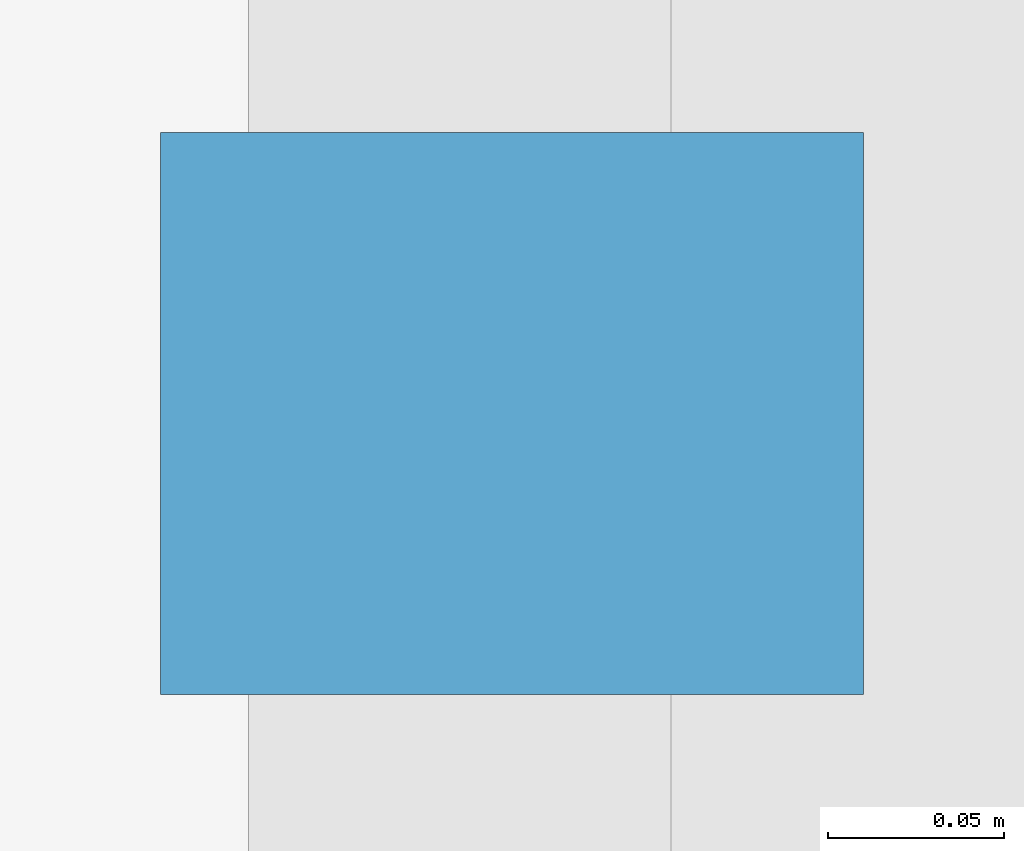
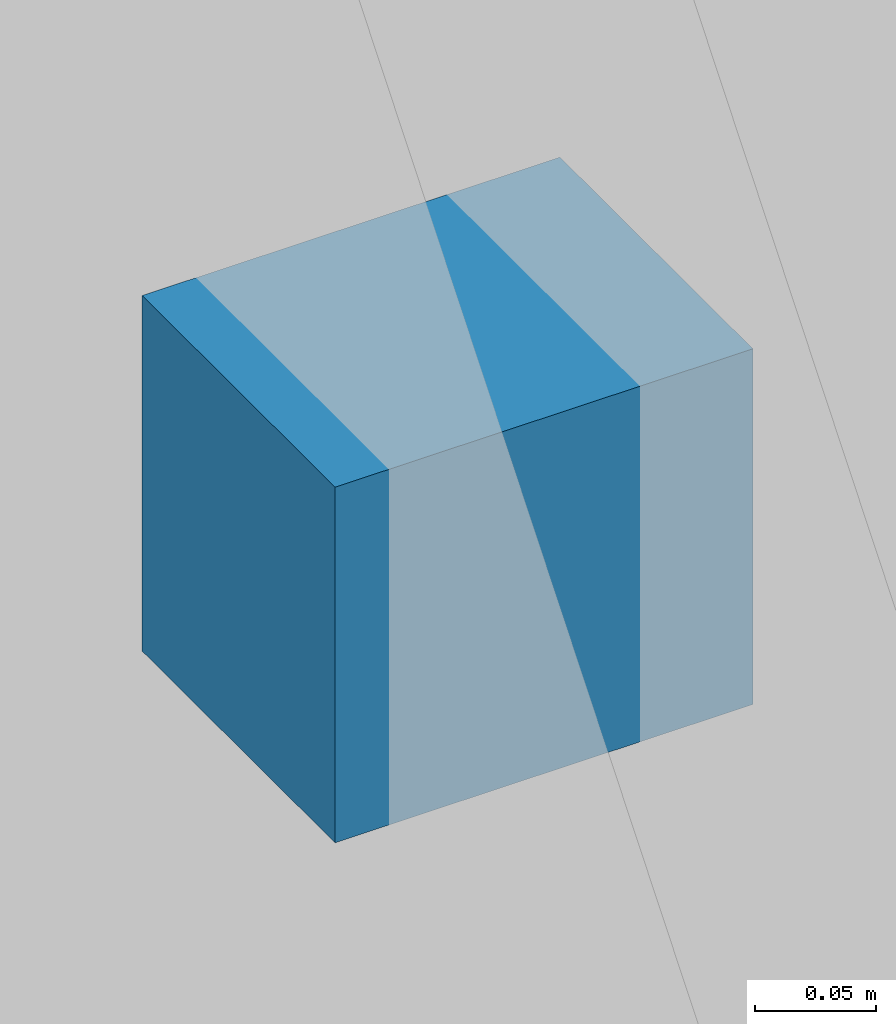
# One storey, part 14 of 18: 1 discrete accessory.
"""IFC4 building model written with IfcOpenShell, lengths in metres."""

from ifc_helpers import new_model, si_unit, direction, frame, origin, origin_2d, place, context, subcontext, project, spatial, rectangle, extrude, material, type_object, element, save


model = new_model("IFC4")

# Units and contexts
model_context = context("Model", 3, precision=1e-05, world=origin(), true_north=direction((0.0, 1.0)))
body_context = subcontext(model_context, "Body", "Model", "MODEL_VIEW")
ifc_project = project(units=[si_unit("LENGTHUNIT", "METRE"), si_unit("AREAUNIT", "SQUARE_METRE"), si_unit("VOLUMEUNIT", "CUBIC_METRE"), si_unit("PLANEANGLEUNIT", "RADIAN"), si_unit("MASSUNIT", "GRAM", prefix="KILO")], contexts=[model_context])

# Site, building, storey
site_placement = place(None, origin())
site = spatial("IfcSite", under=ifc_project, at=site_placement, CompositionType="ELEMENT")
building_placement = place(site_placement, origin())
building = spatial("IfcBuilding", under=site, at=building_placement, Name="Koriwani Terraces Tower", CompositionType="ELEMENT")
storey_placement = place(building_placement, frame((0.0, 0.0, 115.199951171875)))
storey = spatial("IfcBuildingStorey", under=building, at=storey_placement, Name="L27", CompositionType="ELEMENT", Elevation=115.199951171875)

# Discrete accessory
ifc_material = material(Name="Steel ASTM A572 Grade 50", Category="steel")
discrete_accessory_type = type_object("IfcDiscreteAccessoryType", Name="BAGUETTE_STANDOFF_BRACKET", PredefinedType="BRACKET", material=ifc_material)
discrete_accessory_placement = place(storey_placement, frame((33.2099609375, 71.39990234375, 1.68505859375), z_axis=(0.0, 0.0, 1.0), x_axis=(0.0, -1.0, 0.0)))
element("IfcDiscreteAccessory", 1, at=discrete_accessory_placement, inside=storey, type_object=discrete_accessory_type, Name="L27 Terracotta Baguette Bracket (NW_IN-14)", PredefinedType="BRACKET", context=body_context, shape_type="SweptSolid", body=[
    extrude(rectangle(XDim=0.159912109375, YDim=0.199951171875, at=origin_2d()), origin(), (0.0, 0.0, 1.0), 0.179931640625),
])

save(model, "model.ifc")
